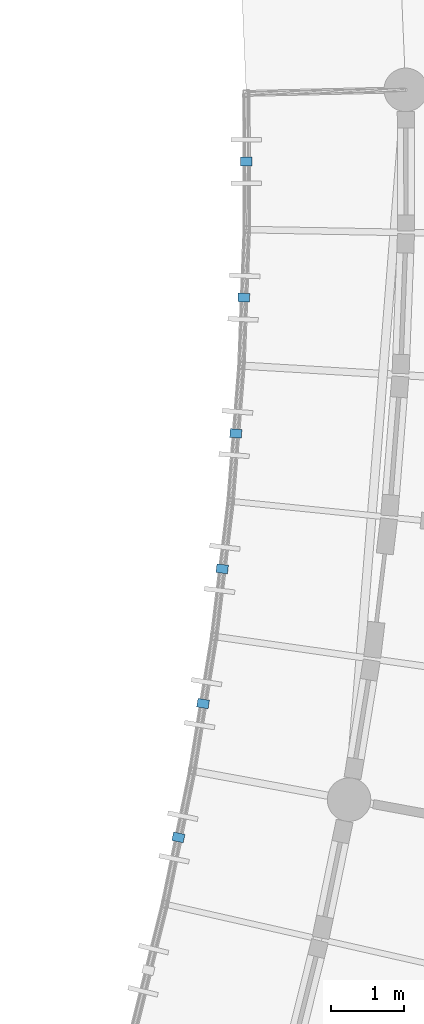
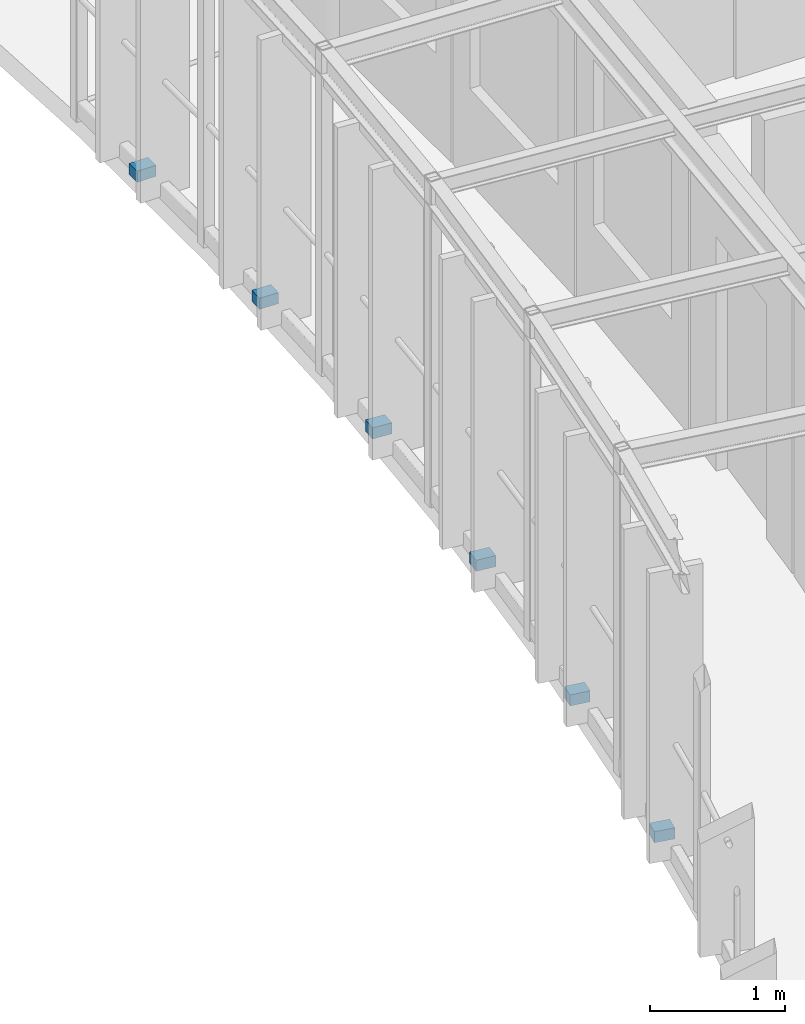
# One storey, part 86 of 101: 6 discrete accessories.
"""IFC4 building model written with IfcOpenShell, lengths in metres."""

import ifcopenshell
import ifcopenshell.guid

model = None  # the IFC model being written
_history = None  # IfcOwnerHistory: only IFC2X3 demands one
_inside = {}  # id of a spatial element -> (the spatial element, [elements in it])
_under = {}  # id of a project, library or spatial element -> (it, [spatial elements below it])
_declared = {}  # id of a project -> (the project, [libraries it declares])
_typed = {}  # id of a type object -> (the type object, [elements of that type])
_made_of = {}  # id of a material, layer set ... -> (it, [elements and type objects made of it])


def new_model(schema):
    """Start an empty IFC model of exactly this schema.

    Asked for "IFC4X3", IfcOpenShell would pick the latest addendum, in which some entities
    have other attributes; the version numbers below select the first issue.
    IFC2X3 requires an IfcOwnerHistory on every rooted entity: one is made here for all.
    """
    global model, _history
    if schema == "IFC4X3":
        model = ifcopenshell.file(schema_version=(4, 3, 0, 0))
    else:
        model = ifcopenshell.file(schema=schema)
    _inside.clear()
    _under.clear()
    _declared.clear()
    _typed.clear()
    _made_of.clear()
    _history = None
    if model.schema == "IFC2X3":
        org = make("IfcOrganization", Name="unknown")
        user = make(
            "IfcPersonAndOrganization",
            ThePerson=make("IfcPerson", FamilyName="unknown"),
            TheOrganization=org,
        )
        app = make(
            "IfcApplication",
            ApplicationDeveloper=org,
            Version="unknown",
            ApplicationFullName="unknown",
            ApplicationIdentifier="unknown",
        )
        _history = make(
            "IfcOwnerHistory",
            OwningUser=user,
            OwningApplication=app,
            ChangeAction="ADDED",
            CreationDate=0,
        )
    return model


def make(cls, **values):
    """One entity of the class cls with the attributes given. An attribute that is None is left unset."""
    return model.create_entity(
        cls, **{name: value for name, value in values.items() if value is not None}
    )


def rooted(cls, **values):
    """An entity with a GlobalId (a new one), such as an element, a storey or a relation."""
    return make(cls, GlobalId=ifcopenshell.guid.new(), OwnerHistory=_history, **values)


def si_unit(unit_type, name, prefix=None):
    """IfcSIUnit, for example si_unit("LENGTHUNIT", "METRE", prefix="MILLI")."""
    return make("IfcSIUnit", UnitType=unit_type, Prefix=prefix, Name=name)


def assignment(units):
    """IfcUnitAssignment: the units of a project."""
    return None if units is None else make("IfcUnitAssignment", Units=units)


def point(xyz):
    """IfcCartesianPoint."""
    return None if xyz is None else make("IfcCartesianPoint", Coordinates=xyz)


def direction(xyz):
    """IfcDirection."""
    return None if xyz is None else make("IfcDirection", DirectionRatios=xyz)


def frame(location, z_axis=None, x_axis=None):
    """IfcAxis2Placement3D, a coordinate frame: its origin and axes. An axis left out is left unset."""
    return make(
        "IfcAxis2Placement3D",
        Location=point(location),
        Axis=direction(z_axis),
        RefDirection=direction(x_axis),
    )


def frame_2d(location, x_axis=None):
    """IfcAxis2Placement2D, a coordinate frame in the plane: its origin and x axis."""
    return make(
        "IfcAxis2Placement2D", Location=point(location), RefDirection=direction(x_axis)
    )


def origin():
    """The frame at (0, 0, 0) with its axes left unset."""
    return frame((0.0, 0.0, 0.0))


def origin_2d():
    """The frame at (0, 0) in the plane with its x axis left unset."""
    return frame_2d((0.0, 0.0))


def place(relative_to, where):
    """IfcLocalPlacement: puts the frame where relative to a parent placement (None: the world)."""
    return make(
        "IfcLocalPlacement", PlacementRelTo=relative_to, RelativePlacement=where
    )


def context(
    kind, dimensions, precision=None, world=None, true_north=None, identifier=None
):
    """IfcGeometricRepresentationContext, for example the 3D "Model" context."""
    return make(
        "IfcGeometricRepresentationContext",
        ContextIdentifier=identifier,
        ContextType=kind,
        CoordinateSpaceDimension=dimensions,
        Precision=precision,
        WorldCoordinateSystem=world,
        TrueNorth=true_north,
    )


def subcontext(parent, identifier, kind, view, scale=None):
    """IfcGeometricRepresentationSubContext, for example "Body" below "Model"."""
    return make(
        "IfcGeometricRepresentationSubContext",
        ContextIdentifier=identifier,
        ContextType=kind,
        ParentContext=parent,
        TargetScale=scale,
        TargetView=view,
    )


def project(units=None, contexts=None):
    """IfcProject with its units and contexts."""
    return rooted(
        "IfcProject",
        Name="project",
        RepresentationContexts=contexts,
        UnitsInContext=assignment(units),
    )


def spatial(cls, under=None, at=None, **own):
    """A site, building, storey or space (cls), placed at a placement, below another one or the project."""
    s = rooted(cls, ObjectPlacement=at, **own)
    if under is not None:
        _under.setdefault(under.id(), (under, []))[1].append(s)
    return s


def profile(cls, at=None, kind="AREA", **sizes):
    """A parametric profile (cls). Its sizes go by their IFC names, for example OverallWidth=200.0."""
    return make(cls, ProfileType=kind, Position=at, **sizes)


def rectangle(**sizes):
    """IfcRectangleProfileDef."""
    return profile("IfcRectangleProfileDef", **sizes)


def extrude(swept, where, along, depth):
    """IfcExtrudedAreaSolid: the profile swept, set in the frame where, extruded along a direction by depth."""
    return make(
        "IfcExtrudedAreaSolid",
        SweptArea=swept,
        Position=where,
        ExtrudedDirection=direction(along),
        Depth=depth,
    )


def shape(context_of_items, identifier, shape_type, items):
    """IfcShapeRepresentation: the items that make up one representation, for example the "Body"."""
    return make(
        "IfcShapeRepresentation",
        ContextOfItems=context_of_items,
        RepresentationIdentifier=identifier,
        RepresentationType=shape_type,
        Items=items,
    )


def material(Name=None, Category=None):
    """IfcMaterial."""
    return make("IfcMaterial", Name=Name, Category=Category)


def made_of(thing, what):
    """Note that an element or type object is made of a material, layer set ...; save() writes the relation."""
    if what is not None:
        _made_of.setdefault(what.id(), (what, []))[1].append(thing)
    return thing


def type_object(cls, material=None, **own):
    """A type object (cls), such as IfcWallType, which elements share."""
    return made_of(rooted(cls, **own), material)


def element(
    cls,
    number,
    at=None,
    inside=None,
    cuts=None,
    type_object=None,
    material=None,
    context=None,
    identifier="Body",
    shape_type=None,
    held_by="IfcProductDefinitionShape",
    body=None,
    shapes=None,
    **own,
):
    """One element of the class cls, such as IfcWall. Its Tag is "e" and its number.

    at: its placement. inside: the storey or other place that contains it. cuts: it is an
    opening in that element (IfcRelVoidsElement). A single representation is given by context,
    identifier, shape_type and body (its items); several are given by shapes. held_by: the class
    of the entity that holds the representations. save() writes the other relations.
    """
    e = rooted(cls, Tag="e%d" % number, ObjectPlacement=at, **own)
    if body is not None:
        shapes = [shape(context, identifier, shape_type, body)]
    if shapes is not None:
        e.Representation = make(held_by, Representations=shapes)
    if inside is not None:
        _inside.setdefault(inside.id(), (inside, []))[1].append(e)
    if cuts is not None:
        rooted(
            "IfcRelVoidsElement", RelatingBuildingElement=cuts, RelatedOpeningElement=e
        )
    if type_object is not None:
        _typed.setdefault(type_object.id(), (type_object, []))[1].append(e)
    return made_of(e, material)


def aggregate(whole, parts):
    """IfcRelAggregates: a whole, such as a stair, and the parts it consists of."""
    return rooted("IfcRelAggregates", RelatingObject=whole, RelatedObjects=parts)


def save(model, path):
    """Write the relations noted so far, then the file.

    IfcRelAggregates (storeys below a building ...), IfcRelContainedInSpatialStructure (elements
    in a storey), IfcRelDefinesByType, IfcRelAssociatesMaterial and IfcRelDeclares: one each for
    every whole, place, type object, material and project.
    """
    for whole, parts in _under.values():
        aggregate(whole, parts)
    for where, things in _inside.values():
        rooted(
            "IfcRelContainedInSpatialStructure",
            RelatedElements=things,
            RelatingStructure=where,
        )
    for kind, things in _typed.values():
        rooted("IfcRelDefinesByType", RelatedObjects=things, RelatingType=kind)
    for what, things in _made_of.values():
        rooted("IfcRelAssociatesMaterial", RelatedObjects=things, RelatingMaterial=what)
    for by, libraries in _declared.values():
        rooted("IfcRelDeclares", RelatingContext=by, RelatedDefinitions=libraries)
    model.write(path)


model = new_model("IFC4")

# Units and contexts
model_context = context("Model", 3, precision=1e-05, world=origin(), true_north=direction((0.0, 1.0)))
body_context = subcontext(model_context, "Body", "Model", "MODEL_VIEW")
ifc_project = project(units=[si_unit("LENGTHUNIT", "METRE"), si_unit("AREAUNIT", "SQUARE_METRE"), si_unit("VOLUMEUNIT", "CUBIC_METRE"), si_unit("PLANEANGLEUNIT", "RADIAN"), si_unit("MASSUNIT", "GRAM", prefix="KILO"), si_unit("POWERUNIT", "WATT"), si_unit("THERMODYNAMICTEMPERATUREUNIT", "KELVIN")], contexts=[model_context])

# Site, building, storey
site_placement = place(None, origin())
site = spatial("IfcSite", under=ifc_project, at=site_placement, CompositionType="ELEMENT")
building_placement = place(site_placement, origin())
building = spatial("IfcBuilding", under=site, at=building_placement, Name="Ruvembo Vaulted Housing Court", CompositionType="ELEMENT")
storey_placement = place(building_placement, frame((0.0, 0.0, 17.300048828125)))
storey = spatial("IfcBuildingStorey", under=building, at=storey_placement, Name="L05", CompositionType="ELEMENT", Elevation=17.300048828125)

# Discrete accessories
ifc_material = material(Name="Stainless Steel Grade 316", Category="steel")
discrete_accessory_type = type_object("IfcDiscreteAccessoryType", Name="ACC-BRACKET-SS", PredefinedType="BRACKET", material=ifc_material)
for number, where, z_axis, x_axis, name in (
    (1, (46.853759765625, 64.78564453125, 0.02978515625), (0.0, 0.0, 1.0), (0.979547164277, -0.201214693692, 0.0), "Stainless Louvre Rail Bracket #90"),
    (2, (47.193603515625, 66.630859375, 0.02978515625), (0.0, 0.0, 1.0), (0.986957060278, -0.160983729511, 0.0), "Stainless Louvre Rail Bracket #91"),
    (3, (47.45751953125, 68.488525390625, 0.02978515625), (0.0, 0.0, 1.0), (0.992734259016, -0.120327432347, 0.0), "Stainless Louvre Rail Bracket #92"),
    (4, (47.64501953125, 70.35546875, 0.02978515625), (0.0, 0.0, 1.0), (0.996826293951, -0.079607409749, 0.0), "Stainless Louvre Rail Bracket #93"),
    (5, (47.756103515625, 72.228271484375, 0.02978515625), (0.0, 0.0, 1.0), (0.999251482534, -0.038684294669, 0.0), "Stainless Louvre Rail Bracket #94"),
    (6, (47.790283203125, 74.104248046875, 0.02978515625), (0.0, 0.0, 1.0), (0.999997386231, 0.002286379328, 0.0), "Stainless Louvre Rail Bracket #95"),
):
    element("IfcDiscreteAccessory", number, at=place(storey_placement, frame(where, z_axis=z_axis, x_axis=x_axis)), inside=storey, type_object=discrete_accessory_type, Name=name, PredefinedType="BRACKET", context=body_context, shape_type="SweptSolid", body=[
        extrude(rectangle(XDim=0.159912109375, YDim=0.1201171875, at=origin_2d()), origin(), (0.0, 0.0, 1.0), 0.10009765625),
    ])

save(model, "model.ifc")
